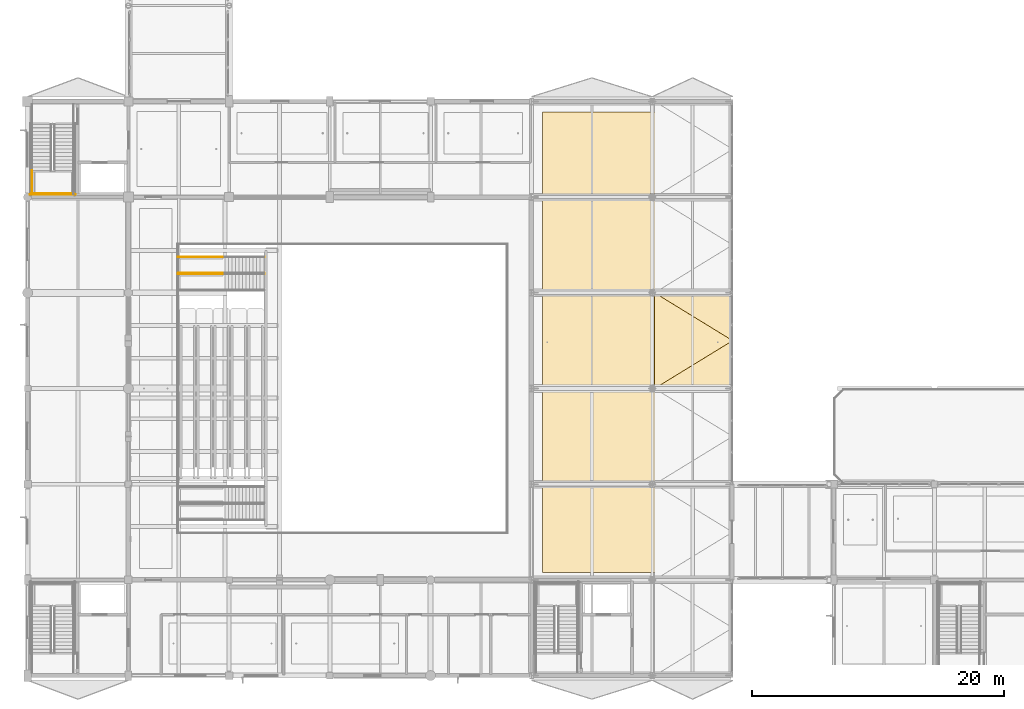
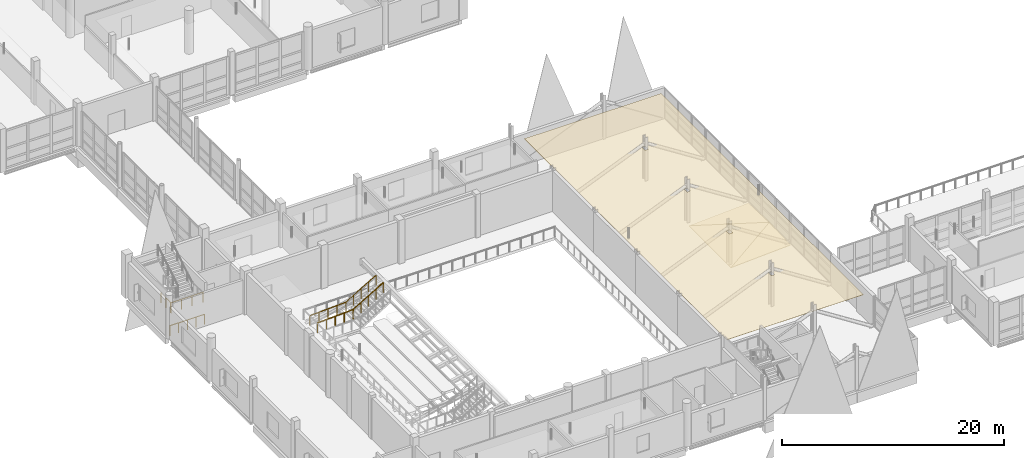
# One storey, part 130 of 147: 6 railings, 4 coverings.
"""IFC4 building model written with IfcOpenShell, lengths in metres."""

import ifcopenshell
import ifcopenshell.guid

model = None  # the IFC model being written
_history = None  # IfcOwnerHistory: only IFC2X3 demands one
_inside = {}  # id of a spatial element -> (the spatial element, [elements in it])
_under = {}  # id of a project, library or spatial element -> (it, [spatial elements below it])
_declared = {}  # id of a project -> (the project, [libraries it declares])
_typed = {}  # id of a type object -> (the type object, [elements of that type])
_made_of = {}  # id of a material, layer set ... -> (it, [elements and type objects made of it])


def new_model(schema):
    """Start an empty IFC model of exactly this schema.

    Asked for "IFC4X3", IfcOpenShell would pick the latest addendum, in which some entities
    have other attributes; the version numbers below select the first issue.
    IFC2X3 requires an IfcOwnerHistory on every rooted entity: one is made here for all.
    """
    global model, _history
    if schema == "IFC4X3":
        model = ifcopenshell.file(schema_version=(4, 3, 0, 0))
    else:
        model = ifcopenshell.file(schema=schema)
    _inside.clear()
    _under.clear()
    _declared.clear()
    _typed.clear()
    _made_of.clear()
    _history = None
    if model.schema == "IFC2X3":
        org = make("IfcOrganization", Name="unknown")
        user = make(
            "IfcPersonAndOrganization",
            ThePerson=make("IfcPerson", FamilyName="unknown"),
            TheOrganization=org,
        )
        app = make(
            "IfcApplication",
            ApplicationDeveloper=org,
            Version="unknown",
            ApplicationFullName="unknown",
            ApplicationIdentifier="unknown",
        )
        _history = make(
            "IfcOwnerHistory",
            OwningUser=user,
            OwningApplication=app,
            ChangeAction="ADDED",
            CreationDate=0,
        )
    return model


def make(cls, **values):
    """One entity of the class cls with the attributes given. An attribute that is None is left unset."""
    return model.create_entity(
        cls, **{name: value for name, value in values.items() if value is not None}
    )


def rooted(cls, **values):
    """An entity with a GlobalId (a new one), such as an element, a storey or a relation."""
    return make(cls, GlobalId=ifcopenshell.guid.new(), OwnerHistory=_history, **values)


def si_unit(unit_type, name, prefix=None):
    """IfcSIUnit, for example si_unit("LENGTHUNIT", "METRE", prefix="MILLI")."""
    return make("IfcSIUnit", UnitType=unit_type, Prefix=prefix, Name=name)


def assignment(units):
    """IfcUnitAssignment: the units of a project."""
    return None if units is None else make("IfcUnitAssignment", Units=units)


def point(xyz):
    """IfcCartesianPoint."""
    return None if xyz is None else make("IfcCartesianPoint", Coordinates=xyz)


def direction(xyz):
    """IfcDirection."""
    return None if xyz is None else make("IfcDirection", DirectionRatios=xyz)


def frame(location, z_axis=None, x_axis=None):
    """IfcAxis2Placement3D, a coordinate frame: its origin and axes. An axis left out is left unset."""
    return make(
        "IfcAxis2Placement3D",
        Location=point(location),
        Axis=direction(z_axis),
        RefDirection=direction(x_axis),
    )


def frame_2d(location, x_axis=None):
    """IfcAxis2Placement2D, a coordinate frame in the plane: its origin and x axis."""
    return make(
        "IfcAxis2Placement2D", Location=point(location), RefDirection=direction(x_axis)
    )


def origin():
    """The frame at (0, 0, 0) with its axes left unset."""
    return frame((0.0, 0.0, 0.0))


def origin_2d():
    """The frame at (0, 0) in the plane with its x axis left unset."""
    return frame_2d((0.0, 0.0))


def place(relative_to, where):
    """IfcLocalPlacement: puts the frame where relative to a parent placement (None: the world)."""
    return make(
        "IfcLocalPlacement", PlacementRelTo=relative_to, RelativePlacement=where
    )


def context(
    kind, dimensions, precision=None, world=None, true_north=None, identifier=None
):
    """IfcGeometricRepresentationContext, for example the 3D "Model" context."""
    return make(
        "IfcGeometricRepresentationContext",
        ContextIdentifier=identifier,
        ContextType=kind,
        CoordinateSpaceDimension=dimensions,
        Precision=precision,
        WorldCoordinateSystem=world,
        TrueNorth=true_north,
    )


def subcontext(parent, identifier, kind, view, scale=None):
    """IfcGeometricRepresentationSubContext, for example "Body" below "Model"."""
    return make(
        "IfcGeometricRepresentationSubContext",
        ContextIdentifier=identifier,
        ContextType=kind,
        ParentContext=parent,
        TargetScale=scale,
        TargetView=view,
    )


def project(units=None, contexts=None):
    """IfcProject with its units and contexts."""
    return rooted(
        "IfcProject",
        Name="project",
        RepresentationContexts=contexts,
        UnitsInContext=assignment(units),
    )


def spatial(cls, under=None, at=None, **own):
    """A site, building, storey or space (cls), placed at a placement, below another one or the project."""
    s = rooted(cls, ObjectPlacement=at, **own)
    if under is not None:
        _under.setdefault(under.id(), (under, []))[1].append(s)
    return s


def polyline(points):
    """IfcPolyline through the points."""
    return make("IfcPolyline", Points=[point(p) for p in points])


def profile(cls, at=None, kind="AREA", **sizes):
    """A parametric profile (cls). Its sizes go by their IFC names, for example OverallWidth=200.0."""
    return make(cls, ProfileType=kind, Position=at, **sizes)


def circle(**sizes):
    """IfcCircleProfileDef."""
    return profile("IfcCircleProfileDef", **sizes)


def outline(outer, holes=None, kind="AREA"):
    """IfcArbitraryClosedProfileDef: a profile drawn as a closed curve; with holes, ...WithVoids."""
    if holes is None:
        return make("IfcArbitraryClosedProfileDef", ProfileType=kind, OuterCurve=outer)
    return make(
        "IfcArbitraryProfileDefWithVoids",
        ProfileType=kind,
        OuterCurve=outer,
        InnerCurves=holes,
    )


def extrude(swept, where, along, depth):
    """IfcExtrudedAreaSolid: the profile swept, set in the frame where, extruded along a direction by depth."""
    return make(
        "IfcExtrudedAreaSolid",
        SweptArea=swept,
        Position=where,
        ExtrudedDirection=direction(along),
        Depth=depth,
    )


def shape(context_of_items, identifier, shape_type, items):
    """IfcShapeRepresentation: the items that make up one representation, for example the "Body"."""
    return make(
        "IfcShapeRepresentation",
        ContextOfItems=context_of_items,
        RepresentationIdentifier=identifier,
        RepresentationType=shape_type,
        Items=items,
    )


def material(Name=None, Category=None):
    """IfcMaterial."""
    return make("IfcMaterial", Name=Name, Category=Category)


def layer(
    of_material, thickness, ventilated=None, Name=None, Category=None, Priority=None
):
    """IfcMaterialLayer: one layer of a wall or slab, of a material (None: an air gap)."""
    return make(
        "IfcMaterialLayer",
        Material=of_material,
        LayerThickness=thickness,
        IsVentilated=ventilated,
        Name=Name,
        Category=Category,
        Priority=Priority,
    )


def layer_set(layers, Name=None):
    """IfcMaterialLayerSet."""
    return make("IfcMaterialLayerSet", MaterialLayers=layers, LayerSetName=Name)


def made_of(thing, what):
    """Note that an element or type object is made of a material, layer set ...; save() writes the relation."""
    if what is not None:
        _made_of.setdefault(what.id(), (what, []))[1].append(thing)
    return thing


def type_object(cls, material=None, **own):
    """A type object (cls), such as IfcWallType, which elements share."""
    return made_of(rooted(cls, **own), material)


def element(
    cls,
    number,
    at=None,
    inside=None,
    cuts=None,
    type_object=None,
    material=None,
    context=None,
    identifier="Body",
    shape_type=None,
    held_by="IfcProductDefinitionShape",
    body=None,
    shapes=None,
    **own,
):
    """One element of the class cls, such as IfcWall. Its Tag is "e" and its number.

    at: its placement. inside: the storey or other place that contains it. cuts: it is an
    opening in that element (IfcRelVoidsElement). A single representation is given by context,
    identifier, shape_type and body (its items); several are given by shapes. held_by: the class
    of the entity that holds the representations. save() writes the other relations.
    """
    e = rooted(cls, Tag="e%d" % number, ObjectPlacement=at, **own)
    if body is not None:
        shapes = [shape(context, identifier, shape_type, body)]
    if shapes is not None:
        e.Representation = make(held_by, Representations=shapes)
    if inside is not None:
        _inside.setdefault(inside.id(), (inside, []))[1].append(e)
    if cuts is not None:
        rooted(
            "IfcRelVoidsElement", RelatingBuildingElement=cuts, RelatedOpeningElement=e
        )
    if type_object is not None:
        _typed.setdefault(type_object.id(), (type_object, []))[1].append(e)
    return made_of(e, material)


def aggregate(whole, parts):
    """IfcRelAggregates: a whole, such as a stair, and the parts it consists of."""
    return rooted("IfcRelAggregates", RelatingObject=whole, RelatedObjects=parts)


def save(model, path):
    """Write the relations noted so far, then the file.

    IfcRelAggregates (storeys below a building ...), IfcRelContainedInSpatialStructure (elements
    in a storey), IfcRelDefinesByType, IfcRelAssociatesMaterial and IfcRelDeclares: one each for
    every whole, place, type object, material and project.
    """
    for whole, parts in _under.values():
        aggregate(whole, parts)
    for where, things in _inside.values():
        rooted(
            "IfcRelContainedInSpatialStructure",
            RelatedElements=things,
            RelatingStructure=where,
        )
    for kind, things in _typed.values():
        rooted("IfcRelDefinesByType", RelatedObjects=things, RelatingType=kind)
    for what, things in _made_of.values():
        rooted("IfcRelAssociatesMaterial", RelatedObjects=things, RelatingMaterial=what)
    for by, libraries in _declared.values():
        rooted("IfcRelDeclares", RelatingContext=by, RelatedDefinitions=libraries)
    model.write(path)


model = new_model("IFC4")

# Units and contexts
model_context = context("Model", 3, precision=1e-05, world=origin(), true_north=direction((0.0, 1.0)))
body_context = subcontext(model_context, "Body", "Model", "MODEL_VIEW")
ifc_project = project(units=[si_unit("LENGTHUNIT", "METRE"), si_unit("AREAUNIT", "SQUARE_METRE"), si_unit("VOLUMEUNIT", "CUBIC_METRE"), si_unit("PLANEANGLEUNIT", "RADIAN"), si_unit("MASSUNIT", "GRAM", prefix="KILO")], contexts=[model_context])

# Site, building, storey
site_placement = place(None, origin())
site = spatial("IfcSite", under=ifc_project, at=site_placement, CompositionType="ELEMENT")
building_placement = place(site_placement, origin())
building = spatial("IfcBuilding", under=site, at=building_placement, Name="Khelvaren Railside Concert Hall", CompositionType="ELEMENT")
storey_placement = place(building_placement, frame((0.0, 0.0, 5.39990234375)))
storey = spatial("IfcBuildingStorey", under=building, at=storey_placement, Name="L01", CompositionType="ELEMENT", Elevation=5.39990234375)

# Coverings
ifc_material_1 = material(Name="Precast architectural concrete C45/55", Category="concrete")
ifc_layer_1 = layer(ifc_material_1, 0.06005859375)
ifc_layer_set_1 = layer_set([ifc_layer_1], Name="Precast architectural concrete C45/55")
covering_type_1 = type_object("IfcCoveringType", Name="CLD31", PredefinedType="CLADDING", material=ifc_layer_set_1)
covering_1_placement = place(storey_placement, frame((49.780029296875, 22.800048828125, -0.5498046875), z_axis=(-0.053051143549, -0.052471368931, 0.997212280114), x_axis=(0.998587905984, 0.0, 0.053124326087)))
element("IfcCovering", 1, at=covering_1_placement, inside=storey, type_object=covering_type_1, Name="Main Hall Sheltered Plaza Crystal Soffit 4B", PredefinedType="CLADDING", context=body_context, shape_type="SweptSolid", body=[
    extrude(outline(polyline([(0.0, 0.0), (6.208718466067122, 0.0), (6.219340737323328, 3.805290886991654), (0.0, 0.0)])), origin(), (0.0, 0.0, -1.0), 0.06005859375),
])
ifc_material_2 = material(Name="Board-marked precast concrete C45/55", Category="concrete")
ifc_layer_2 = layer(ifc_material_2, 0.070068359375)
ifc_layer_set_2 = layer_set([ifc_layer_2], Name="Board-marked precast concrete C45/55")
covering_type_2 = type_object("IfcCoveringType", Name="CLD68", PredefinedType="CLADDING", material=ifc_layer_set_2)
covering_2_placement = place(storey_placement, frame((49.780029296875, 22.800048828125, -0.5498046875), z_axis=(-0.085139625726, 0.0, 0.996369030094), x_axis=(0.0, 1.0, 0.0)))
element("IfcCovering", 2, at=covering_2_placement, inside=storey, type_object=covering_type_2, Name="Main Hall Sheltered Plaza Crystal Soffit 4A", PredefinedType="CLADDING", context=body_context, shape_type="SweptSolid", body=[
    extrude(outline(polyline([(0.0, 0.0), (7.599853515625, 0.0), (3.800048828125, -6.22254504567199), (0.0, 0.0)])), origin(), (0.0, 0.0, -1.0), 0.070068359375),
])
covering_3_placement = place(storey_placement, frame((49.780029296875, 30.39990234375, -0.5498046875), z_axis=(-0.053051134164, 0.052474730977, 0.997212103703), x_axis=(0.998587905984, 0.0, 0.053124326087)))
element("IfcCovering", 3, at=covering_3_placement, inside=storey, type_object=covering_type_2, Name="Main Hall Sheltered Plaza Crystal Soffit 4C", PredefinedType="CLADDING", context=body_context, shape_type="SweptSolid", body=[
    extrude(outline(polyline([(0.0, 0.0), (6.208718466067122, -3.469446951953614e-18), (6.219340737323328, -3.8050470827092964), (0.0, 0.0)])), origin(), (0.0, 0.0, -1.0), 0.070068359375),
])
ifc_material_3 = material(Name="Micro-perforated timber acoustic ceiling", Category="wood")
ifc_layer_3 = layer(ifc_material_3, 0.030029296875)
ifc_layer_set_3 = layer_set([ifc_layer_3], Name="Micro-perforated timber acoustic ceiling")
covering_type_3 = type_object("IfcCoveringType", Name="CLG77", PredefinedType="CEILING", material=ifc_layer_set_3)
covering_4_placement = place(storey_placement, frame((0.0, 0.0, 3.420166015625)))
element("IfcCovering", 4, at=covering_4_placement, inside=storey, type_object=covering_type_3, Name="Suspended Acoustic Ceiling Panoramic Cantilever Foyer", PredefinedType="CEILING", context=body_context, shape_type="SweptSolid", body=[
    extrude(outline(polyline([(40.89990234375, 8.199951171875), (55.14990234375, 8.199951171875), (55.14990234375, 44.75), (40.89990234375, 44.75), (40.89990234375, 8.199951171875)]), holes=[polyline([(49.43505859375, 14.93505859375), (49.764892578125, 14.93505859375), (49.764892578125, 15.465087890625), (49.43505859375, 15.465087890625), (49.43505859375, 14.93505859375)]), polyline([(49.43505859375, 22.534912109375), (49.764892578125, 22.534912109375), (49.764892578125, 23.06494140625), (49.43505859375, 23.06494140625), (49.43505859375, 22.534912109375)]), polyline([(49.43505859375, 30.135009765625), (49.764892578125, 30.135009765625), (49.764892578125, 30.6650390625), (49.43505859375, 30.6650390625), (49.43505859375, 30.135009765625)]), polyline([(49.43505859375, 37.735107421875), (49.764892578125, 37.735107421875), (49.764892578125, 38.264892578125), (49.43505859375, 38.264892578125), (49.43505859375, 37.735107421875)])]), origin(), (0.0, 0.0, 1.0), 0.030029296875),
])

# Railings
ifc_material_4 = material(Name="Painted architectural steel", Category="steel")
railing_type = type_object("IfcRailingType", Name="GRD86", PredefinedType="GUARDRAIL", material=ifc_material_4)
railing_1_placement = place(storey_placement, frame((0.35009765625, 40.1201171875, 2.400146484375)))
element("IfcRailing", 5, at=railing_1_placement, inside=storey, type_object=railing_type, Name="L01 ST-11 stair guard 3", PredefinedType="GUARDRAIL", context=body_context, shape_type="SweptSolid", body=[
    extrude(circle(Radius=0.02392578125, at=origin_2d()), frame((0.0, 0.0, 1.076171875), z_axis=(0.0, -1.0, 0.0), x_axis=(1.0, 0.0, 0.0)), (0.0, 0.0, 1.0), 1.880126953125),
    extrude(circle(Radius=0.02099609375, at=origin_2d()), origin(), (0.0, 0.0, 1.0), 1.052001953125),
    extrude(circle(Radius=0.02099609375, at=origin_2d()), frame((0.0, -0.93994140625, 0.0)), (0.0, 0.0, 1.0), 1.052001953125),
    extrude(circle(Radius=0.02099609375, at=origin_2d()), frame((0.0, -1.880126953125, 0.0)), (0.0, 0.0, 1.0), 1.052001953125),
])
railing_2_placement = place(storey_placement, frame((0.300048828125, 38.2900390625, 2.400146484375)))
element("IfcRailing", 6, at=railing_2_placement, inside=storey, type_object=railing_type, Name="L01 ST-11 stair guard 5", PredefinedType="GUARDRAIL", context=body_context, shape_type="SweptSolid", body=[
    extrude(circle(Radius=0.02392578125, at=origin_2d()), frame((0.0, 0.0, 1.076171875), z_axis=(1.0, 0.0, 0.0), x_axis=(0.0, 1.0, 0.0)), (0.0, 0.0, 1.0), 3.39990234375),
    extrude(circle(Radius=0.02099609375, at=origin_2d()), origin(), (0.0, 0.0, 1.0), 1.052001953125),
    extrude(circle(Radius=0.02099609375, at=origin_2d()), frame((1.13330078125, 0.0, 0.0)), (0.0, 0.0, 1.0), 1.052001953125),
    extrude(circle(Radius=0.02099609375, at=origin_2d()), frame((2.2666015625, 0.0, 0.0)), (0.0, 0.0, 1.0), 1.052001953125),
    extrude(circle(Radius=0.02099609375, at=origin_2d()), frame((3.39990234375, 0.0, 0.0)), (0.0, 0.0, 1.0), 1.052001953125),
])
railing_3_placement = place(storey_placement, frame((0.199951171875, 38.18994140625, 0.0)))
element("IfcRailing", 7, at=railing_3_placement, inside=storey, type_object=railing_type, Name="L01 ST-11 stair guard 12", PredefinedType="GUARDRAIL", context=body_context, shape_type="SweptSolid", body=[
    extrude(circle(Radius=0.02392578125, at=origin_2d()), frame((0.0, 0.0, 1.076171875), z_axis=(1.0, 0.0, 0.0), x_axis=(0.0, 1.0, 0.0)), (0.0, 0.0, 1.0), 3.60009765625),
    extrude(circle(Radius=0.02099609375, at=origin_2d()), origin(), (0.0, 0.0, 1.0), 1.052001953125),
    extrude(circle(Radius=0.02099609375, at=origin_2d()), frame((0.89990234375, 0.0, 0.0)), (0.0, 0.0, 1.0), 1.052001953125),
    extrude(circle(Radius=0.02099609375, at=origin_2d()), frame((1.800048828125, 0.0, 0.0)), (0.0, 0.0, 1.0), 1.052001953125),
    extrude(circle(Radius=0.02099609375, at=origin_2d()), frame((2.7001953125, 0.0, 0.0)), (0.0, 0.0, 1.0), 1.052001953125),
    extrude(circle(Radius=0.02099609375, at=origin_2d()), frame((3.60009765625, 0.0, 0.0)), (0.0, 0.0, 1.0), 1.052001953125),
])
for number, where, name in (
    (8, (11.949951171875, 31.89990234375, 0.0), "Vomitory Guardrail ST-19-R"),
    (9, (11.949951171875, 31.949951171875, 0.0), "Vomitory Guardrail ST-20-L"),
    (10, (11.949951171875, 33.25, 0.0), "Vomitory Guardrail ST-20-R"),
):
    element("IfcRailing", number, at=place(storey_placement, frame(where)), inside=storey, type_object=railing_type, Name=name, PredefinedType="GUARDRAIL", context=body_context, shape_type="SweptSolid", body=[
        extrude(circle(Radius=0.02392578125, at=origin_2d()), frame((0.0, 0.0, 1.076171875), z_axis=(0.998955386328, 0.0, 0.045696128127), x_axis=(0.0, 1.0, 0.0)), (0.0, 0.0, 1.0), 3.723876953125),
        extrude(circle(Radius=0.02392578125, at=origin_2d()), frame((3.719970703125, 0.0, 1.24609375), z_axis=(0.858483901645, 0.0, 0.512840511871), x_axis=(0.0, 1.0, 0.0)), (0.0, 0.0, 1.0), 3.64599609375),
        extrude(circle(Radius=0.02099609375, at=origin_2d()), origin(), (0.0, 0.0, 1.0), 1.052001953125),
        extrude(circle(Radius=0.02099609375, at=origin_2d()), frame((0.929931640625, 0.0, 0.04248046875)), (0.0, 0.0, 1.0), 1.052001953125),
        extrude(circle(Radius=0.02099609375, at=origin_2d()), frame((1.85986328125, 0.0, 0.0849609375)), (0.0, 0.0, 1.0), 1.052001953125),
        extrude(circle(Radius=0.02099609375, at=origin_2d()), frame((2.7900390625, 0.0, 0.127685546875)), (0.0, 0.0, 1.0), 1.052001953125),
        extrude(circle(Radius=0.02099609375, at=origin_2d()), frame((3.719970703125, 0.0, 0.170166015625)), (0.0, 0.0, 1.0), 1.052001953125),
        extrude(circle(Radius=0.02099609375, at=origin_2d()), frame((4.50244140625, 0.0, 0.6376953125)), (0.0, 0.0, 1.0), 1.052001953125),
        extrude(circle(Radius=0.02099609375, at=origin_2d()), frame((5.28515625, 0.0, 1.10498046875)), (0.0, 0.0, 1.0), 1.052001953125),
        extrude(circle(Radius=0.02099609375, at=origin_2d()), frame((6.067626953125, 0.0, 1.572509765625)), (0.0, 0.0, 1.0), 1.052001953125),
        extrude(circle(Radius=0.02099609375, at=origin_2d()), frame((6.85009765625, 0.0, 2.0400390625)), (0.0, 0.0, 1.0), 1.052001953125),
    ])

save(model, "model.ifc")
